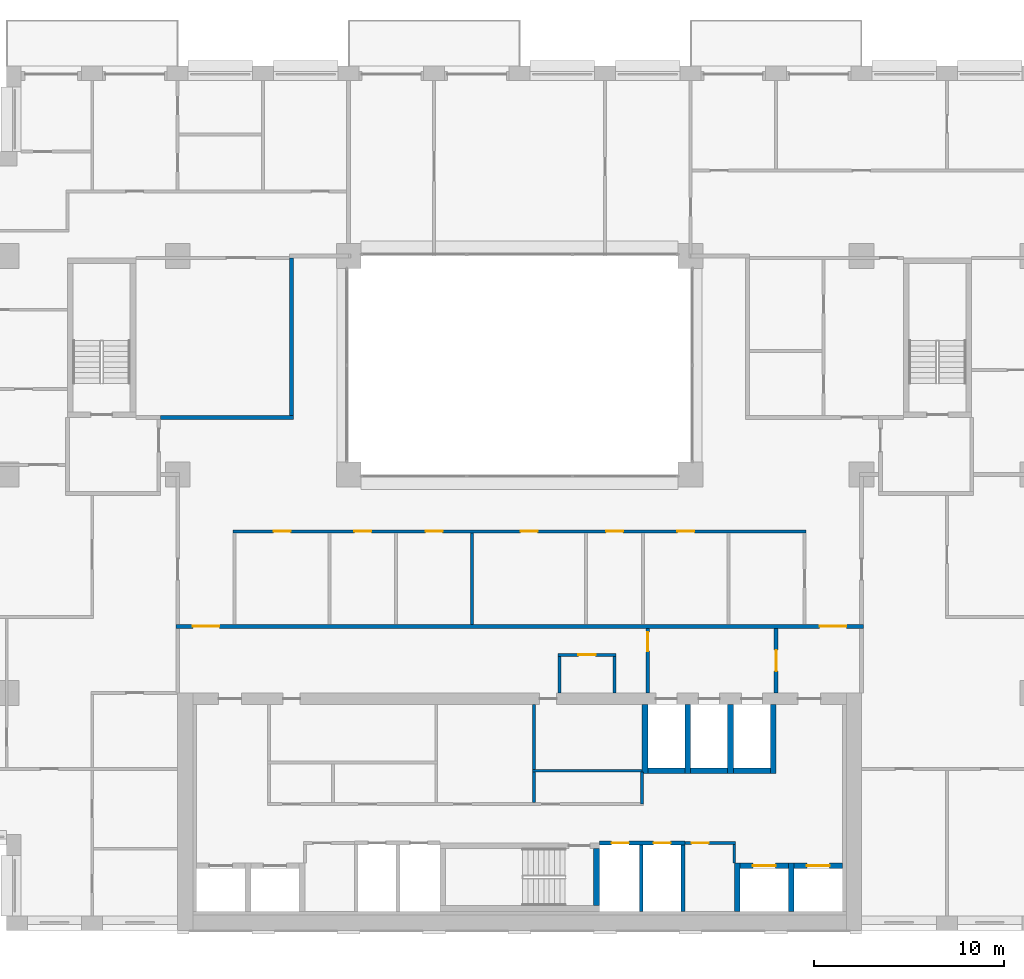
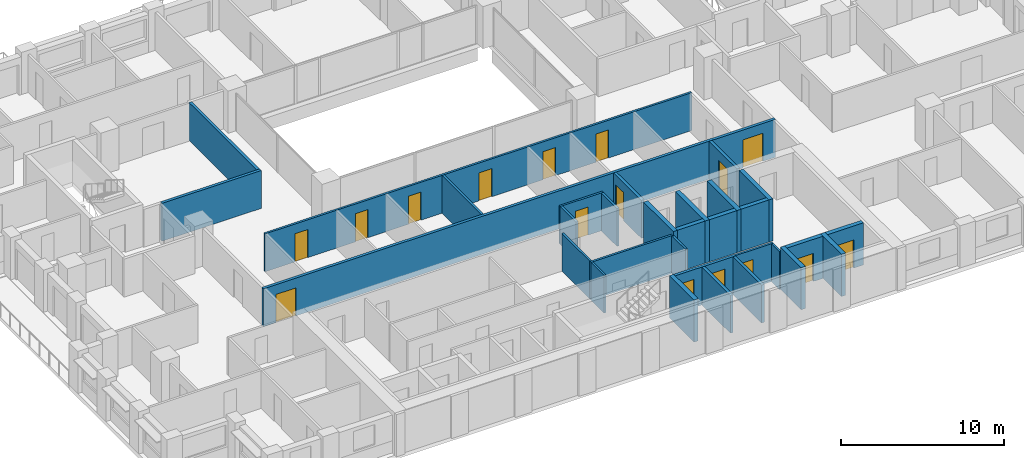
# One storey, part 10 of 16: 31 walls, 16 doors, 16 openings.
"""IFC4 building model written with IfcOpenShell, lengths in metres."""

from ifc_helpers import new_model, si_unit, direction, frame, frame_2d, origin, place, context, subcontext, project, spatial, rectangle, extrude, material, layer, layer_set, type_object, element, fill, save


model = new_model("IFC4")

# Units and contexts
model_context = context("Model", 3, precision=1e-05, world=origin(), true_north=direction((0.0, 1.0)))
body_context = subcontext(model_context, "Body", "Model", "MODEL_VIEW")
ifc_project = project(units=[si_unit("LENGTHUNIT", "METRE"), si_unit("AREAUNIT", "SQUARE_METRE"), si_unit("VOLUMEUNIT", "CUBIC_METRE"), si_unit("PLANEANGLEUNIT", "RADIAN"), si_unit("MASSUNIT", "GRAM", prefix="KILO")], contexts=[model_context])

# Site, building, storey
site_placement = place(None, origin())
site = spatial("IfcSite", under=ifc_project, at=site_placement, CompositionType="ELEMENT")
building_placement = place(site_placement, origin())
building = spatial("IfcBuilding", under=site, at=building_placement, Name="Brigalow Station Residences", CompositionType="ELEMENT")
storey_placement = place(building_placement, frame((0.0, 0.0, 93.0)))
storey = spatial("IfcBuildingStorey", under=building, at=storey_placement, Name="L26", CompositionType="ELEMENT", Elevation=93.0)

# Walls
ifc_material_1 = material(Name="Concrete C65", Category="concrete")
ifc_layer_1 = layer(ifc_material_1, 0.300048828125)
ifc_layer_set_1 = layer_set([ifc_layer_1], Name="CORE SHEAR WALL 300 C65")
wall_type_1 = type_object("IfcWallType", Name="CORE SHEAR WALL 300 C65", PredefinedType="SHEAR", material=ifc_layer_set_1)
wall_1_placement = place(storey_placement, frame((42.75, 8.39990234375, 0.0), z_axis=(0.0, 0.0, 1.0), x_axis=(1.0, 0.0, 0.0)))
element("IfcWall", 1, at=wall_1_placement, inside=storey, type_object=wall_type_1, Name="CORE WALL SH-FF1-S L26", PredefinedType="SHEAR", context=body_context, shape_type="SweptSolid", body=[
    extrude(rectangle(XDim=1.949951171875, YDim=0.300048828125, at=frame_2d((0.97509765625, 0.0))), origin(), (0.0, 0.0, 1.0), 3.14990234375),
])
wall_2_placement = place(storey_placement, frame((42.60009765625, 8.25, 0.0), z_axis=(0.0, 0.0, 1.0), x_axis=(0.0, 1.0, 0.0)))
element("IfcWall", 2, at=wall_2_placement, inside=storey, type_object=wall_type_1, Name="CORE WALL SH-FF1-W L26", PredefinedType="SHEAR", context=body_context, shape_type="SweptSolid", body=[
    extrude(rectangle(XDim=3.64990234375, YDim=0.300048828125, at=frame_2d((1.824951171875, 0.0))), origin(), (0.0, 0.0, 1.0), 3.14990234375),
])
wall_3_placement = place(storey_placement, frame((45.0, 8.39990234375, 0.0), z_axis=(0.0, 0.0, 1.0), x_axis=(1.0, 0.0, 0.0)))
element("IfcWall", 3, at=wall_3_placement, inside=storey, type_object=wall_type_1, Name="CORE WALL SH-FF2-S L26", PredefinedType="SHEAR", context=body_context, shape_type="SweptSolid", body=[
    extrude(rectangle(XDim=1.949951171875, YDim=0.300048828125, at=frame_2d((0.97509765625, 0.0))), origin(), (0.0, 0.0, 1.0), 3.14990234375),
])
wall_4_placement = place(storey_placement, frame((44.85009765625, 8.25, 0.0), z_axis=(0.0, 0.0, 1.0), x_axis=(0.0, 1.0, 0.0)))
element("IfcWall", 4, at=wall_4_placement, inside=storey, type_object=wall_type_1, Name="CORE WALL SH-FF2-W L26", PredefinedType="SHEAR", context=body_context, shape_type="SweptSolid", body=[
    extrude(rectangle(XDim=3.64990234375, YDim=0.300048828125, at=frame_2d((1.824951171875, 0.0))), origin(), (0.0, 0.0, 1.0), 3.14990234375),
])
wall_5_placement = place(storey_placement, frame((47.25, 8.39990234375, 0.0), z_axis=(0.0, 0.0, 1.0), x_axis=(1.0, 0.0, 0.0)))
element("IfcWall", 5, at=wall_5_placement, inside=storey, type_object=wall_type_1, Name="CORE WALL SH-SL1-S L26", PredefinedType="SHEAR", context=body_context, shape_type="SweptSolid", body=[
    extrude(rectangle(XDim=1.949951171875, YDim=0.300048828125, at=frame_2d((0.97509765625, 0.0))), origin(), (0.0, 0.0, 1.0), 3.14990234375),
])
for number, where, z_axis, x_axis, name in (
    (6, (47.10009765625, 8.25, 0.0), (0.0, 0.0, 1.0), (0.0, 1.0, 0.0), "CORE WALL SH-SL1-W L26"),
    (7, (49.35009765625, 8.25, 0.0), (0.0, 0.0, 1.0), (0.0, 1.0, 0.0), "CORE WALL SH-SL1-E L26"),
):
    element("IfcWall", number, at=place(storey_placement, frame(where, z_axis=z_axis, x_axis=x_axis)), inside=storey, type_object=wall_type_1, Name=name, PredefinedType="SHEAR", context=body_context, shape_type="SweptSolid", body=[
        extrude(rectangle(XDim=3.64990234375, YDim=0.300048828125, at=frame_2d((1.824951171875, 0.0))), origin(), (0.0, 0.0, 1.0), 3.14990234375),
    ])

# Wall, opening, door
wall_6_placement = place(storey_placement, frame((47.60009765625, 3.39990234375, 0.0), z_axis=(0.0, 0.0, 1.0), x_axis=(1.0, 0.0, 0.0)))
wall_6 = element("IfcWall", 8, at=wall_6_placement, inside=storey, type_object=wall_type_1, Name="CORE WALL SH-C3-N L26", PredefinedType="SHEAR", context=body_context, shape_type="SweptSolid", body=[
    extrude(rectangle(XDim=2.5498046875, YDim=0.300048828125, at=frame_2d((1.27490234375, 0.0))), origin(), (0.0, 0.0, 1.0), 3.14990234375),
])
opening_1_placement = place(wall_6_placement, frame((0.675048828125, 0.0, 0.0)))
opening_1 = element("IfcOpeningElement", 9, at=opening_1_placement, cuts=wall_6, Name="Opening LD-LB3", PredefinedType="OPENING", context=body_context, shape_type="SweptSolid", body=[
    extrude(rectangle(XDim=1.199951171875, YDim=2.10009765625, at=frame_2d((0.60009765625, 1.050048828125))), frame((0.0, 0.16015625, 0.0), z_axis=(0.0, -1.0, 0.0), x_axis=(1.0, 0.0, 0.0)), (0.0, 0.0, 1.0), 0.320068359375),
])
ifc_material_2 = material(Name="Stainless steel sliding door leaves", Category="steel")
door_type_1 = type_object("IfcDoorType", Name="LIFT LANDING DOOR 1200 x 2100", OperationType="DOUBLE_DOOR_SLIDING", PredefinedType="DOOR", material=ifc_material_2)
door_1_placement = place(opening_1_placement, origin())
door_1 = element("IfcDoor", 10, at=door_1_placement, inside=storey, type_object=door_type_1, Name="LANDING DOOR LB3", OperationType="DOUBLE_DOOR_SLIDING", OverallHeight=2.10009765625, OverallWidth=1.199951171875, PredefinedType="DOOR", context=body_context, shape_type="SweptSolid", body=[
    extrude(rectangle(XDim=1.199951171875, YDim=2.10009765625, at=frame_2d((0.60009765625, 1.050048828125))), frame((0.0, 0.02490234375, 0.0), z_axis=(0.0, -1.0, 0.0), x_axis=(1.0, 0.0, 0.0)), (0.0, 0.0, 1.0), 0.050048828125),
])
fill(opening_1, door_1)

# Wall
wall_7_placement = place(storey_placement, frame((47.449951171875, 1.0, 0.0), z_axis=(0.0, 0.0, 1.0), x_axis=(0.0, 1.0, 0.0)))
element("IfcWall", 11, at=wall_7_placement, inside=storey, type_object=wall_type_1, Name="CORE WALL SH-C3-W L26", PredefinedType="SHEAR", context=body_context, shape_type="SweptSolid", body=[
    extrude(rectangle(XDim=2.550048828125, YDim=0.300048828125, at=frame_2d((1.27490234375, 0.0))), origin(), (0.0, 0.0, 1.0), 3.14990234375),
])

# Wall, opening, door
wall_8_placement = place(storey_placement, frame((50.449951171875, 3.39990234375, 0.0), z_axis=(0.0, 0.0, 1.0), x_axis=(1.0, 0.0, 0.0)))
wall_8 = element("IfcWall", 12, at=wall_8_placement, inside=storey, type_object=wall_type_1, Name="CORE WALL SH-C4-N L26", PredefinedType="SHEAR", context=body_context, shape_type="SweptSolid", body=[
    extrude(rectangle(XDim=2.550048828125, YDim=0.300048828125, at=frame_2d((1.27490234375, 0.0))), origin(), (0.0, 0.0, 1.0), 3.14990234375),
])
opening_2_placement = place(wall_8_placement, frame((0.675048828125, 0.0, 0.0)))
opening_2 = element("IfcOpeningElement", 13, at=opening_2_placement, cuts=wall_8, Name="Opening LD-LB4", PredefinedType="OPENING", context=body_context, shape_type="SweptSolid", body=[
    extrude(rectangle(XDim=1.199951171875, YDim=2.10009765625, at=frame_2d((0.60009765625, 1.050048828125))), frame((0.0, 0.16015625, 0.0), z_axis=(0.0, -1.0, 0.0), x_axis=(1.0, 0.0, 0.0)), (0.0, 0.0, 1.0), 0.320068359375),
])
door_2_placement = place(opening_2_placement, origin())
door_2 = element("IfcDoor", 14, at=door_2_placement, inside=storey, type_object=door_type_1, Name="LANDING DOOR LB4", OperationType="DOUBLE_DOOR_SLIDING", OverallHeight=2.10009765625, OverallWidth=1.199951171875, PredefinedType="DOOR", context=body_context, shape_type="SweptSolid", body=[
    extrude(rectangle(XDim=1.199951171875, YDim=2.10009765625, at=frame_2d((0.60009765625, 1.050048828125))), frame((0.0, 0.02490234375, 0.0), z_axis=(0.0, -1.0, 0.0), x_axis=(1.0, 0.0, 0.0)), (0.0, 0.0, 1.0), 0.050048828125),
])
fill(opening_2, door_2)

# Walls
wall_9_placement = place(storey_placement, frame((50.300048828125, 1.0, 0.0), z_axis=(0.0, 0.0, 1.0), x_axis=(0.0, 1.0, 0.0)))
element("IfcWall", 15, at=wall_9_placement, inside=storey, type_object=wall_type_1, Name="CORE WALL SH-C4-W L26", PredefinedType="SHEAR", context=body_context, shape_type="SweptSolid", body=[
    extrude(rectangle(XDim=2.550048828125, YDim=0.300048828125, at=frame_2d((1.27490234375, 0.0))), origin(), (0.0, 0.0, 1.0), 3.14990234375),
])
wall_10_placement = place(storey_placement, frame((40.050048828125, 1.300048828125, 0.0), z_axis=(0.0, 0.0, 1.0), x_axis=(0.0, 1.0, 0.0)))
element("IfcWall", 16, at=wall_10_placement, inside=storey, type_object=wall_type_1, Name="CORE WALL ST-S2-E L26", PredefinedType="SHEAR", context=body_context, shape_type="SweptSolid", body=[
    extrude(rectangle(XDim=3.0, YDim=0.300048828125, at=frame_2d((1.5, 0.0))), origin(), (0.0, 0.0, 1.0), 3.14990234375),
])

# Wall, openings, doors
ifc_material_3 = material(Name="Concrete blockwork", Category="masonry")
ifc_layer_2 = layer(ifc_material_3, 0.199951171875)
ifc_layer_set_2 = layer_set([ifc_layer_2], Name="FIRE RATED CORE PARTITION 200")
wall_type_2 = type_object("IfcWallType", Name="FIRE RATED CORE PARTITION 200", PredefinedType="PARTITIONING", material=ifc_layer_set_2)
wall_11_placement = place(storey_placement, frame((40.199951171875, 4.60009765625, 0.0), z_axis=(0.0, 0.0, 1.0), x_axis=(1.0, 0.0, 0.0)))
wall_11 = element("IfcWall", 17, at=wall_11_placement, inside=storey, type_object=wall_type_2, Name="PW-5018", PredefinedType="PARTITIONING", context=body_context, shape_type="SweptSolid", body=[
    extrude(rectangle(XDim=4.5, YDim=0.199951171875, at=frame_2d((2.25, 0.0))), origin(), (0.0, 0.0, 1.0), 2.830078125),
])
opening_3_placement = place(wall_11_placement, frame((0.64990234375, 0.0, 0.0)))
opening_3 = element("IfcOpeningElement", 18, at=opening_3_placement, cuts=wall_11, Name="Opening D-5009", PredefinedType="OPENING", context=body_context, shape_type="SweptSolid", body=[
    extrude(rectangle(XDim=0.89990234375, YDim=2.10009765625, at=frame_2d((0.449951171875, 1.050048828125))), frame((0.0, 0.10986328125, 0.0), z_axis=(0.0, -1.0, 0.0), x_axis=(1.0, 0.0, 0.0)), (0.0, 0.0, 1.0), 0.219970703125),
])
opening_4_placement = place(wall_11_placement, frame((2.85009765625, 0.0, 0.0)))
opening_4 = element("IfcOpeningElement", 19, at=opening_4_placement, cuts=wall_11, Name="Opening D-5010", PredefinedType="OPENING", context=body_context, shape_type="SweptSolid", body=[
    extrude(rectangle(XDim=0.89990234375, YDim=2.10009765625, at=frame_2d((0.449951171875, 1.050048828125))), frame((0.0, 0.10986328125, 0.0), z_axis=(0.0, -1.0, 0.0), x_axis=(1.0, 0.0, 0.0)), (0.0, 0.0, 1.0), 0.219970703125),
])
ifc_material_4 = material(Name="Steel fire door leaf in steel frame", Category="steel")
door_type_2 = type_object("IfcDoorType", Name="RISER ACCESS DOOR 900 x 2100 FD120", OperationType="SINGLE_SWING_LEFT", PredefinedType="DOOR", material=ifc_material_4)
door_3_placement = place(opening_3_placement, frame((0.89990234375, 0.0, 0.0), z_axis=(0.0, 0.0, 1.0), x_axis=(-1.0, 0.0, 0.0)))
door_3 = element("IfcDoor", 20, at=door_3_placement, inside=storey, type_object=door_type_2, Name="D-5009", OperationType="SINGLE_SWING_LEFT", OverallHeight=2.10009765625, OverallWidth=0.89990234375, PredefinedType="DOOR", context=body_context, shape_type="SweptSolid", body=[
    extrude(rectangle(XDim=0.89990234375, YDim=2.10009765625, at=frame_2d((0.449951171875, 1.050048828125))), frame((0.0, 0.02490234375, 0.0), z_axis=(0.0, -1.0, 0.0), x_axis=(1.0, 0.0, 0.0)), (0.0, 0.0, 1.0), 0.050048828125),
])
fill(opening_3, door_3)
door_4_placement = place(opening_4_placement, frame((0.89990234375, 0.0, 0.0), z_axis=(0.0, 0.0, 1.0), x_axis=(-1.0, 0.0, 0.0)))
door_4 = element("IfcDoor", 21, at=door_4_placement, inside=storey, type_object=door_type_2, Name="D-5010", OperationType="SINGLE_SWING_LEFT", OverallHeight=2.10009765625, OverallWidth=0.89990234375, PredefinedType="DOOR", context=body_context, shape_type="SweptSolid", body=[
    extrude(rectangle(XDim=0.89990234375, YDim=2.10009765625, at=frame_2d((0.449951171875, 1.050048828125))), frame((0.0, 0.02490234375, 0.0), z_axis=(0.0, -1.0, 0.0), x_axis=(1.0, 0.0, 0.0)), (0.0, 0.0, 1.0), 0.050048828125),
])
fill(opening_4, door_4)

# Walls
for number, where, z_axis, x_axis, name in (
    (22, (42.39990234375, 1.0, 0.0), (0.0, 0.0, 1.0), (0.0, 1.0, 0.0), "PW-5007"),
    (23, (44.60009765625, 1.0, 0.0), (0.0, 0.0, 1.0), (0.0, 1.0, 0.0), "PW-5008"),
):
    element("IfcWall", number, at=place(storey_placement, frame(where, z_axis=z_axis, x_axis=x_axis)), inside=storey, type_object=wall_type_2, Name=name, PredefinedType="PARTITIONING", context=body_context, shape_type="SweptSolid", body=[
        extrude(rectangle(XDim=3.5, YDim=0.199951171875, at=frame_2d((1.75, 0.0))), origin(), (0.0, 0.0, 1.0), 2.830078125),
    ])

# Wall, opening, door
wall_12_placement = place(storey_placement, frame((42.75, 12.5, 0.0), z_axis=(0.0, 0.0, 1.0), x_axis=(0.0, 1.0, 0.0)))
wall_12 = element("IfcWall", 24, at=wall_12_placement, inside=storey, type_object=wall_type_2, Name="PW-5014", PredefinedType="PARTITIONING", context=body_context, shape_type="SweptSolid", body=[
    extrude(rectangle(XDim=3.39990234375, YDim=0.199951171875, at=frame_2d((1.699951171875, 0.0))), origin(), (0.0, 0.0, 1.0), 2.830078125),
])
opening_5_placement = place(wall_12_placement, frame((2.199951171875, 0.0, 0.0)))
opening_5 = element("IfcOpeningElement", 25, at=opening_5_placement, cuts=wall_12, Name="Opening D-5013", PredefinedType="OPENING", context=body_context, shape_type="SweptSolid", body=[
    extrude(rectangle(XDim=1.0, YDim=2.10009765625, at=frame_2d((0.5, 1.050048828125))), frame((0.0, 0.10986328125, 0.0), z_axis=(0.0, -1.0, 0.0), x_axis=(1.0, 0.0, 0.0)), (0.0, 0.0, 1.0), 0.219970703125),
])
ifc_material_5 = material(Name="Steel fire door leaf in steel frame", Category="steel")
door_type_3 = type_object("IfcDoorType", Name="LOBBY DOOR 1000 x 2100 FD60S", OperationType="SINGLE_SWING_LEFT", PredefinedType="DOOR", material=ifc_material_5)
door_5_placement = place(opening_5_placement, origin())
door_5 = element("IfcDoor", 26, at=door_5_placement, inside=storey, type_object=door_type_3, Name="D-5013", OperationType="SINGLE_SWING_RIGHT", OverallHeight=2.10009765625, OverallWidth=1.0, PredefinedType="DOOR", context=body_context, shape_type="SweptSolid", body=[
    extrude(rectangle(XDim=1.0, YDim=2.10009765625, at=frame_2d((0.5, 1.050048828125))), frame((0.0, 0.02490234375, 0.0), z_axis=(0.0, -1.0, 0.0), x_axis=(1.0, 0.0, 0.0)), (0.0, 0.0, 1.0), 0.050048828125),
])
fill(opening_5, door_5)

wall_13_placement = place(storey_placement, frame((49.5, 12.5, 0.0), z_axis=(0.0, 0.0, 1.0), x_axis=(0.0, 1.0, 0.0)))
wall_13 = element("IfcWall", 27, at=wall_13_placement, inside=storey, type_object=wall_type_2, Name="PW-5015", PredefinedType="PARTITIONING", context=body_context, shape_type="SweptSolid", body=[
    extrude(rectangle(XDim=3.39990234375, YDim=0.199951171875, at=frame_2d((1.699951171875, 0.0))), origin(), (0.0, 0.0, 1.0), 2.830078125),
])
opening_6_placement = place(wall_13_placement, frame((1.14990234375, 0.0, 0.0)))
opening_6 = element("IfcOpeningElement", 28, at=opening_6_placement, cuts=wall_13, Name="Opening D-5014", PredefinedType="OPENING", context=body_context, shape_type="SweptSolid", body=[
    extrude(rectangle(XDim=1.10009765625, YDim=2.10009765625, at=frame_2d((0.550048828125, 1.050048828125))), frame((0.0, 0.10986328125, 0.0), z_axis=(0.0, -1.0, 0.0), x_axis=(1.0, 0.0, 0.0)), (0.0, 0.0, 1.0), 0.219970703125),
])
ifc_material_6 = material(Name="Steel fire door leaf in steel frame", Category="steel")
door_type_4 = type_object("IfcDoorType", Name="LOBBY DOOR 1100 x 2100 FD60S", OperationType="SINGLE_SWING_LEFT", PredefinedType="DOOR", material=ifc_material_6)
door_6_placement = place(opening_6_placement, origin())
door_6 = element("IfcDoor", 29, at=door_6_placement, inside=storey, type_object=door_type_4, Name="D-5014", OperationType="SINGLE_SWING_LEFT", OverallHeight=2.10009765625, OverallWidth=1.10009765625, PredefinedType="DOOR", context=body_context, shape_type="SweptSolid", body=[
    extrude(rectangle(XDim=1.10009765625, YDim=2.10009765625, at=frame_2d((0.550048828125, 1.050048828125))), frame((0.0, 0.02490234375, 0.0), z_axis=(0.0, -1.0, 0.0), x_axis=(1.0, 0.0, 0.0)), (0.0, 0.0, 1.0), 0.050048828125),
])
fill(opening_6, door_6)

# Wall, openings, doors
ifc_material_7 = material(Name="Plasterboard on steel stud partition", Category="steel")
ifc_layer_3 = layer(ifc_material_7, 0.14990234375)
ifc_layer_set_3 = layer_set([ifc_layer_3], Name="FLAT PARTITION 150")
wall_type_3 = type_object("IfcWallType", Name="FLAT PARTITION 150", PredefinedType="PARTITIONING", material=ifc_layer_set_3)
wall_14_placement = place(storey_placement, frame((20.925048828125, 21.0, 0.0), z_axis=(0.0, 0.0, 1.0), x_axis=(1.0, 0.0, 0.0)))
wall_14 = element("IfcWall", 30, at=wall_14_placement, inside=storey, type_object=wall_type_3, Name="PW-2B01", PredefinedType="PARTITIONING", context=body_context, shape_type="SweptSolid", body=[
    extrude(rectangle(XDim=30.14990234375, YDim=0.14990234375, at=frame_2d((15.074951171875, 0.0))), origin(), (0.0, 0.0, 1.0), 2.830078125),
])
opening_7_placement = place(wall_14_placement, frame((2.125, 0.0, 0.0)))
opening_7 = element("IfcOpeningElement", 31, at=opening_7_placement, cuts=wall_14, Name="Opening D-2B47", PredefinedType="OPENING", context=body_context, shape_type="SweptSolid", body=[
    extrude(rectangle(XDim=0.89990234375, YDim=2.10009765625, at=frame_2d((0.449951171875, 1.050048828125))), frame((0.0, 0.0849609375, 0.0), z_axis=(0.0, -1.0, 0.0), x_axis=(1.0, 0.0, 0.0)), (0.0, 0.0, 1.0), 0.169921875),
])
opening_8_placement = place(wall_14_placement, frame((6.375, 0.0, 0.0)))
opening_8 = element("IfcOpeningElement", 32, at=opening_8_placement, cuts=wall_14, Name="Opening D-2B48", PredefinedType="OPENING", context=body_context, shape_type="SweptSolid", body=[
    extrude(rectangle(XDim=0.89990234375, YDim=2.10009765625, at=frame_2d((0.449951171875, 1.050048828125))), frame((0.0, 0.0849609375, 0.0), z_axis=(0.0, -1.0, 0.0), x_axis=(1.0, 0.0, 0.0)), (0.0, 0.0, 1.0), 0.169921875),
])
opening_9_placement = place(wall_14_placement, frame((10.125, 0.0, 0.0)))
opening_9 = element("IfcOpeningElement", 33, at=opening_9_placement, cuts=wall_14, Name="Opening D-2B49", PredefinedType="OPENING", context=body_context, shape_type="SweptSolid", body=[
    extrude(rectangle(XDim=0.89990234375, YDim=2.10009765625, at=frame_2d((0.449951171875, 1.050048828125))), frame((0.0, 0.0849609375, 0.0), z_axis=(0.0, -1.0, 0.0), x_axis=(1.0, 0.0, 0.0)), (0.0, 0.0, 1.0), 0.169921875),
])
opening_10_placement = place(wall_14_placement, frame((15.125, 0.0, 0.0)))
opening_10 = element("IfcOpeningElement", 34, at=opening_10_placement, cuts=wall_14, Name="Opening D-2B50", PredefinedType="OPENING", context=body_context, shape_type="SweptSolid", body=[
    extrude(rectangle(XDim=0.89990234375, YDim=2.10009765625, at=frame_2d((0.449951171875, 1.050048828125))), frame((0.0, 0.0849609375, 0.0), z_axis=(0.0, -1.0, 0.0), x_axis=(1.0, 0.0, 0.0)), (0.0, 0.0, 1.0), 0.169921875),
])
opening_11_placement = place(wall_14_placement, frame((19.625, 0.0, 0.0)))
opening_11 = element("IfcOpeningElement", 35, at=opening_11_placement, cuts=wall_14, Name="Opening D-2B51", PredefinedType="OPENING", context=body_context, shape_type="SweptSolid", body=[
    extrude(rectangle(XDim=0.89990234375, YDim=2.10009765625, at=frame_2d((0.449951171875, 1.050048828125))), frame((0.0, 0.0849609375, 0.0), z_axis=(0.0, -1.0, 0.0), x_axis=(1.0, 0.0, 0.0)), (0.0, 0.0, 1.0), 0.169921875),
])
opening_12_placement = place(wall_14_placement, frame((23.375, 0.0, 0.0)))
opening_12 = element("IfcOpeningElement", 36, at=opening_12_placement, cuts=wall_14, Name="Opening D-2B52", PredefinedType="OPENING", context=body_context, shape_type="SweptSolid", body=[
    extrude(rectangle(XDim=0.89990234375, YDim=2.10009765625, at=frame_2d((0.449951171875, 1.050048828125))), frame((0.0, 0.0849609375, 0.0), z_axis=(0.0, -1.0, 0.0), x_axis=(1.0, 0.0, 0.0)), (0.0, 0.0, 1.0), 0.169921875),
])
ifc_material_8 = material(Name="Solid-core timber door leaf", Category="wood")
door_type_5 = type_object("IfcDoorType", Name="INTERNAL DOOR 900 x 2100", OperationType="SINGLE_SWING_LEFT", PredefinedType="DOOR", material=ifc_material_8)
door_7_placement = place(opening_7_placement, frame((0.89990234375, 0.0, 0.0), z_axis=(0.0, 0.0, 1.0), x_axis=(-1.0, 0.0, 0.0)))
door_7 = element("IfcDoor", 37, at=door_7_placement, inside=storey, type_object=door_type_5, Name="D-2B47", OperationType="SINGLE_SWING_RIGHT", OverallHeight=2.10009765625, OverallWidth=0.89990234375, PredefinedType="DOOR", context=body_context, shape_type="SweptSolid", body=[
    extrude(rectangle(XDim=0.89990234375, YDim=2.10009765625, at=frame_2d((0.449951171875, 1.050048828125))), frame((0.0, 0.02490234375, 0.0), z_axis=(0.0, -1.0, 0.0), x_axis=(1.0, 0.0, 0.0)), (0.0, 0.0, 1.0), 0.050048828125),
])
fill(opening_7, door_7)
door_8_placement = place(opening_8_placement, frame((0.89990234375, 0.0, 0.0), z_axis=(0.0, 0.0, 1.0), x_axis=(-1.0, 0.0, 0.0)))
door_8 = element("IfcDoor", 38, at=door_8_placement, inside=storey, type_object=door_type_5, Name="D-2B48", OperationType="SINGLE_SWING_LEFT", OverallHeight=2.10009765625, OverallWidth=0.89990234375, PredefinedType="DOOR", context=body_context, shape_type="SweptSolid", body=[
    extrude(rectangle(XDim=0.89990234375, YDim=2.10009765625, at=frame_2d((0.449951171875, 1.050048828125))), frame((0.0, 0.02490234375, 0.0), z_axis=(0.0, -1.0, 0.0), x_axis=(1.0, 0.0, 0.0)), (0.0, 0.0, 1.0), 0.050048828125),
])
fill(opening_8, door_8)
door_9_placement = place(opening_9_placement, frame((0.89990234375, 0.0, 0.0), z_axis=(0.0, 0.0, 1.0), x_axis=(-1.0, 0.0, 0.0)))
door_9 = element("IfcDoor", 39, at=door_9_placement, inside=storey, type_object=door_type_5, Name="D-2B49", OperationType="SINGLE_SWING_LEFT", OverallHeight=2.10009765625, OverallWidth=0.89990234375, PredefinedType="DOOR", context=body_context, shape_type="SweptSolid", body=[
    extrude(rectangle(XDim=0.89990234375, YDim=2.10009765625, at=frame_2d((0.449951171875, 1.050048828125))), frame((0.0, 0.02490234375, 0.0), z_axis=(0.0, -1.0, 0.0), x_axis=(1.0, 0.0, 0.0)), (0.0, 0.0, 1.0), 0.050048828125),
])
fill(opening_9, door_9)
door_10_placement = place(opening_10_placement, frame((0.89990234375, 0.0, 0.0), z_axis=(0.0, 0.0, 1.0), x_axis=(-1.0, 0.0, 0.0)))
door_10 = element("IfcDoor", 40, at=door_10_placement, inside=storey, type_object=door_type_5, Name="D-2B50", OperationType="SINGLE_SWING_RIGHT", OverallHeight=2.10009765625, OverallWidth=0.89990234375, PredefinedType="DOOR", context=body_context, shape_type="SweptSolid", body=[
    extrude(rectangle(XDim=0.89990234375, YDim=2.10009765625, at=frame_2d((0.449951171875, 1.050048828125))), frame((0.0, 0.02490234375, 0.0), z_axis=(0.0, -1.0, 0.0), x_axis=(1.0, 0.0, 0.0)), (0.0, 0.0, 1.0), 0.050048828125),
])
fill(opening_10, door_10)
door_11_placement = place(opening_11_placement, frame((0.89990234375, 0.0, 0.0), z_axis=(0.0, 0.0, 1.0), x_axis=(-1.0, 0.0, 0.0)))
door_11 = element("IfcDoor", 41, at=door_11_placement, inside=storey, type_object=door_type_5, Name="D-2B51", OperationType="SINGLE_SWING_LEFT", OverallHeight=2.10009765625, OverallWidth=0.89990234375, PredefinedType="DOOR", context=body_context, shape_type="SweptSolid", body=[
    extrude(rectangle(XDim=0.89990234375, YDim=2.10009765625, at=frame_2d((0.449951171875, 1.050048828125))), frame((0.0, 0.02490234375, 0.0), z_axis=(0.0, -1.0, 0.0), x_axis=(1.0, 0.0, 0.0)), (0.0, 0.0, 1.0), 0.050048828125),
])
fill(opening_11, door_11)
door_12_placement = place(opening_12_placement, frame((0.89990234375, 0.0, 0.0), z_axis=(0.0, 0.0, 1.0), x_axis=(-1.0, 0.0, 0.0)))
door_12 = element("IfcDoor", 42, at=door_12_placement, inside=storey, type_object=door_type_5, Name="D-2B52", OperationType="SINGLE_SWING_LEFT", OverallHeight=2.10009765625, OverallWidth=0.89990234375, PredefinedType="DOOR", context=body_context, shape_type="SweptSolid", body=[
    extrude(rectangle(XDim=0.89990234375, YDim=2.10009765625, at=frame_2d((0.449951171875, 1.050048828125))), frame((0.0, 0.02490234375, 0.0), z_axis=(0.0, -1.0, 0.0), x_axis=(1.0, 0.0, 0.0)), (0.0, 0.0, 1.0), 0.050048828125),
])
fill(opening_12, door_12)

# Walls
wall_15_placement = place(storey_placement, frame((33.5, 16.10009765625, 0.0), z_axis=(0.0, 0.0, 1.0), x_axis=(0.0, 1.0, 0.0)))
element("IfcWall", 43, at=wall_15_placement, inside=storey, type_object=wall_type_3, Name="PW-2B71", PredefinedType="PARTITIONING", context=body_context, shape_type="SweptSolid", body=[
    extrude(rectangle(XDim=4.824951171875, YDim=0.14990234375, at=frame_2d((2.41259765625, 0.0))), origin(), (0.0, 0.0, 1.0), 2.830078125),
])
ifc_material_9 = material(Name="Plasterboard on steel stud partition", Category="steel")
ifc_layer_4 = layer(ifc_material_9, 0.199951171875)
ifc_layer_set_4 = layer_set([ifc_layer_4], Name="PARTY AND CORRIDOR WALL 200")
wall_type_4 = type_object("IfcWallType", Name="PARTY AND CORRIDOR WALL 200", PredefinedType="PARTITIONING", material=ifc_layer_set_4)
wall_16_placement = place(storey_placement, frame((17.10009765625, 27.0, 0.0), z_axis=(0.0, 0.0, 1.0), x_axis=(1.0, 0.0, 0.0)))
element("IfcWall", 44, at=wall_16_placement, inside=storey, type_object=wall_type_4, Name="PW-2B05", PredefinedType="PARTITIONING", context=body_context, shape_type="SweptSolid", body=[
    extrude(rectangle(XDim=7.0, YDim=0.199951171875, at=frame_2d((3.5, 0.0))), origin(), (0.0, 0.0, 1.0), 2.830078125),
])

# Wall, openings, doors
wall_17_placement = place(storey_placement, frame((17.89990234375, 16.0, 0.0), z_axis=(0.0, 0.0, 1.0), x_axis=(1.0, 0.0, 0.0)))
wall_17 = element("IfcWall", 45, at=wall_17_placement, inside=storey, type_object=wall_type_4, Name="PW-2B37", PredefinedType="PARTITIONING", context=body_context, shape_type="SweptSolid", body=[
    extrude(rectangle(XDim=36.2001953125, YDim=0.199951171875, at=frame_2d((18.10009765625, 0.0))), origin(), (0.0, 0.0, 1.0), 2.830078125),
])
opening_13_placement = place(wall_17_placement, frame((0.89990234375, 0.0, 0.0)))
opening_13 = element("IfcOpeningElement", 46, at=opening_13_placement, cuts=wall_17, Name="Opening D-2B01", PredefinedType="OPENING", context=body_context, shape_type="SweptSolid", body=[
    extrude(rectangle(XDim=1.39990234375, YDim=2.10009765625, at=frame_2d((0.699951171875, 1.050048828125))), frame((0.0, 0.10986328125, 0.0), z_axis=(0.0, -1.0, 0.0), x_axis=(1.0, 0.0, 0.0)), (0.0, 0.0, 1.0), 0.219970703125),
])
opening_14_placement = place(wall_17_placement, frame((33.89990234375, 0.0, 0.0)))
opening_14 = element("IfcOpeningElement", 47, at=opening_14_placement, cuts=wall_17, Name="Opening D-2B02", PredefinedType="OPENING", context=body_context, shape_type="SweptSolid", body=[
    extrude(rectangle(XDim=1.39990234375, YDim=2.10009765625, at=frame_2d((0.699951171875, 1.050048828125))), frame((0.0, 0.10986328125, 0.0), z_axis=(0.0, -1.0, 0.0), x_axis=(1.0, 0.0, 0.0)), (0.0, 0.0, 1.0), 0.219970703125),
])
ifc_material_10 = material(Name="Solid-core timber door leaf", Category="wood")
door_type_6 = type_object("IfcDoorType", Name="CORRIDOR FIRE DOOR 1400 x 2100 FRL -/60/30", OperationType="DOUBLE_DOOR_SINGLE_SWING", PredefinedType="DOOR", material=ifc_material_10)
door_13_placement = place(opening_13_placement, frame((1.39990234375, 0.0, 0.0), z_axis=(0.0, 0.0, 1.0), x_axis=(-1.0, 0.0, 0.0)))
door_13 = element("IfcDoor", 48, at=door_13_placement, inside=storey, type_object=door_type_6, Name="D-2B01", OperationType="DOUBLE_DOOR_SINGLE_SWING", OverallHeight=2.10009765625, OverallWidth=1.39990234375, PredefinedType="DOOR", context=body_context, shape_type="SweptSolid", body=[
    extrude(rectangle(XDim=1.39990234375, YDim=2.10009765625, at=frame_2d((0.699951171875, 1.050048828125))), frame((0.0, 0.02490234375, 0.0), z_axis=(0.0, -1.0, 0.0), x_axis=(1.0, 0.0, 0.0)), (0.0, 0.0, 1.0), 0.050048828125),
])
fill(opening_13, door_13)
door_14_placement = place(opening_14_placement, frame((1.39990234375, 0.0, 0.0), z_axis=(0.0, 0.0, 1.0), x_axis=(-1.0, 0.0, 0.0)))
door_14 = element("IfcDoor", 49, at=door_14_placement, inside=storey, type_object=door_type_6, Name="D-2B02", OperationType="DOUBLE_DOOR_SINGLE_SWING", OverallHeight=2.10009765625, OverallWidth=1.39990234375, PredefinedType="DOOR", context=body_context, shape_type="SweptSolid", body=[
    extrude(rectangle(XDim=1.39990234375, YDim=2.10009765625, at=frame_2d((0.699951171875, 1.050048828125))), frame((0.0, 0.02490234375, 0.0), z_axis=(0.0, -1.0, 0.0), x_axis=(1.0, 0.0, 0.0)), (0.0, 0.0, 1.0), 0.050048828125),
])
fill(opening_14, door_14)

# Wall
wall_18_placement = place(storey_placement, frame((24.0, 27.10009765625, 0.0), z_axis=(0.0, 0.0, 1.0), x_axis=(0.0, 1.0, 0.0)))
element("IfcWall", 50, at=wall_18_placement, inside=storey, type_object=wall_type_4, Name="PW-2B43", PredefinedType="PARTITIONING", context=body_context, shape_type="SweptSolid", body=[
    extrude(rectangle(XDim=8.2998046875, YDim=0.199951171875, at=frame_2d((4.14990234375, 0.0))), origin(), (0.0, 0.0, 1.0), 2.830078125),
])

# Wall, opening, door
ifc_material_11 = material(Name="Plasterboard on steel studs", Category="steel")
ifc_layer_5 = layer(ifc_material_11, 0.14990234375)
ifc_layer_set_5 = layer_set([ifc_layer_5], Name="SERVICE ROOM PARTITION 150")
wall_type_5 = type_object("IfcWallType", Name="SERVICE ROOM PARTITION 150", PredefinedType="PARTITIONING", material=ifc_layer_set_5)
wall_19_placement = place(storey_placement, frame((44.699951171875, 4.60009765625, 0.0), z_axis=(0.0, 0.0, 1.0), x_axis=(1.0, 0.0, 0.0)))
wall_19 = element("IfcWall", 51, at=wall_19_placement, inside=storey, type_object=wall_type_5, Name="PW-5156", PredefinedType="PARTITIONING", context=body_context, shape_type="SweptSolid", body=[
    extrude(rectangle(XDim=2.675048828125, YDim=0.14990234375, at=frame_2d((1.33740234375, 0.0))), origin(), (0.0, 0.0, 1.0), 2.830078125),
])
opening_15_placement = place(wall_19_placement, frame((0.35009765625, 0.0, 0.0)))
opening_15 = element("IfcOpeningElement", 52, at=opening_15_placement, cuts=wall_19, Name="Opening D-5026", PredefinedType="OPENING", context=body_context, shape_type="SweptSolid", body=[
    extrude(rectangle(XDim=0.89990234375, YDim=2.10009765625, at=frame_2d((0.449951171875, 1.050048828125))), frame((0.0, 0.0849609375, 0.0), z_axis=(0.0, -1.0, 0.0), x_axis=(1.0, 0.0, 0.0)), (0.0, 0.0, 1.0), 0.169921875),
])
ifc_material_12 = material(Name="Steel door leaf in steel frame", Category="steel")
door_type_7 = type_object("IfcDoorType", Name="SERVICE ROOM DOOR 900 x 2100 FD60", OperationType="SINGLE_SWING_LEFT", PredefinedType="DOOR", material=ifc_material_12)
door_15_placement = place(opening_15_placement, frame((0.89990234375, 0.0, 0.0), z_axis=(0.0, 0.0, 1.0), x_axis=(-1.0, 0.0, 0.0)))
door_15 = element("IfcDoor", 53, at=door_15_placement, inside=storey, type_object=door_type_7, Name="D-5026", OperationType="SINGLE_SWING_RIGHT", OverallHeight=2.10009765625, OverallWidth=0.89990234375, PredefinedType="DOOR", context=body_context, shape_type="SweptSolid", body=[
    extrude(rectangle(XDim=0.89990234375, YDim=2.10009765625, at=frame_2d((0.449951171875, 1.050048828125))), frame((0.0, 0.02490234375, 0.0), z_axis=(0.0, -1.0, 0.0), x_axis=(1.0, 0.0, 0.0)), (0.0, 0.0, 1.0), 0.050048828125),
])
fill(opening_15, door_15)

# Wall
wall_20_placement = place(storey_placement, frame((36.675048828125, 8.39990234375, 0.0), z_axis=(0.0, 0.0, 1.0), x_axis=(1.0, 0.0, 0.0)))
element("IfcWall", 54, at=wall_20_placement, inside=storey, type_object=wall_type_5, Name="PW-5204", PredefinedType="PARTITIONING", context=body_context, shape_type="SweptSolid", body=[
    extrude(rectangle(XDim=5.77490234375, YDim=0.14990234375, at=frame_2d((2.887451171875, 0.0))), origin(), (0.0, 0.0, 1.0), 2.830078125),
])

# Wall, opening, door
wall_21_placement = place(storey_placement, frame((38.02490234375, 14.5, 0.0), z_axis=(0.0, 0.0, 1.0), x_axis=(1.0, 0.0, 0.0)))
wall_21 = element("IfcWall", 55, at=wall_21_placement, inside=storey, type_object=wall_type_5, Name="PW-5138", PredefinedType="PARTITIONING", context=body_context, shape_type="SweptSolid", body=[
    extrude(rectangle(XDim=3.050048828125, YDim=0.14990234375, at=frame_2d((1.52490234375, 0.0))), origin(), (0.0, 0.0, 1.0), 2.830078125),
])
opening_16_placement = place(wall_21_placement, frame((1.074951171875, 0.0, 0.0)))
opening_16 = element("IfcOpeningElement", 56, at=opening_16_placement, cuts=wall_21, Name="Opening D-5079", PredefinedType="OPENING", context=body_context, shape_type="SweptSolid", body=[
    extrude(rectangle(XDim=0.89990234375, YDim=2.10009765625, at=frame_2d((0.449951171875, 1.050048828125))), frame((0.0, 0.0849609375, 0.0), z_axis=(0.0, -1.0, 0.0), x_axis=(1.0, 0.0, 0.0)), (0.0, 0.0, 1.0), 0.169921875),
])
door_16_placement = place(opening_16_placement, frame((0.89990234375, 0.0, 0.0), z_axis=(0.0, 0.0, 1.0), x_axis=(-1.0, 0.0, 0.0)))
door_16 = element("IfcDoor", 57, at=door_16_placement, inside=storey, type_object=door_type_7, Name="D-5079", OperationType="SINGLE_SWING_RIGHT", OverallHeight=2.10009765625, OverallWidth=0.89990234375, PredefinedType="DOOR", context=body_context, shape_type="SweptSolid", body=[
    extrude(rectangle(XDim=0.89990234375, YDim=2.10009765625, at=frame_2d((0.449951171875, 1.050048828125))), frame((0.0, 0.02490234375, 0.0), z_axis=(0.0, -1.0, 0.0), x_axis=(1.0, 0.0, 0.0)), (0.0, 0.0, 1.0), 0.050048828125),
])
fill(opening_16, door_16)

# Walls
wall_22_placement = place(storey_placement, frame((47.300048828125, 3.550048828125, 0.0), z_axis=(0.0, 0.0, 1.0), x_axis=(0.0, 1.0, 0.0)))
element("IfcWall", 58, at=wall_22_placement, inside=storey, type_object=wall_type_5, Name="PW-5158", PredefinedType="PARTITIONING", context=body_context, shape_type="SweptSolid", body=[
    extrude(rectangle(XDim=0.974853515625, YDim=0.14990234375, at=frame_2d((0.4873046875, 0.0))), origin(), (0.0, 0.0, 1.0), 2.830078125),
])
wall_23_placement = place(storey_placement, frame((42.449951171875, 6.64990234375, 0.0), z_axis=(0.0, 0.0, 1.0), x_axis=(0.0, 1.0, 0.0)))
element("IfcWall", 59, at=wall_23_placement, inside=storey, type_object=wall_type_5, Name="PW-5206", PredefinedType="PARTITIONING", context=body_context, shape_type="SweptSolid", body=[
    extrude(rectangle(XDim=1.675048828125, YDim=0.14990234375, at=frame_2d((0.83740234375, 0.0))), origin(), (0.0, 0.0, 1.0), 2.830078125),
])
wall_24_placement = place(storey_placement, frame((36.75, 6.72509765625, 0.0), z_axis=(0.0, 0.0, 1.0), x_axis=(0.0, 1.0, 0.0)))
element("IfcWall", 60, at=wall_24_placement, inside=storey, type_object=wall_type_5, Name="PW-5210", PredefinedType="PARTITIONING", context=body_context, shape_type="SweptSolid", body=[
    extrude(rectangle(XDim=1.599853515625, YDim=0.14990234375, at=frame_2d((0.7998046875, 0.0))), origin(), (0.0, 0.0, 1.0), 2.830078125),
])
wall_25_placement = place(storey_placement, frame((36.75, 8.47509765625, 0.0), z_axis=(0.0, 0.0, 1.0), x_axis=(0.0, 1.0, 0.0)))
element("IfcWall", 61, at=wall_25_placement, inside=storey, type_object=wall_type_5, Name="PW-5211", PredefinedType="PARTITIONING", context=body_context, shape_type="SweptSolid", body=[
    extrude(rectangle(XDim=3.4248046875, YDim=0.14990234375, at=frame_2d((1.71240234375, 0.0))), origin(), (0.0, 0.0, 1.0), 2.830078125),
])
for number, where, z_axis, x_axis, name in (
    (62, (38.10009765625, 12.5, 0.0), (0.0, 0.0, 1.0), (0.0, 1.0, 0.0), "PW-5139"),
    (63, (41.0, 12.5, 0.0), (0.0, 0.0, 1.0), (0.0, 1.0, 0.0), "PW-5140"),
):
    element("IfcWall", number, at=place(storey_placement, frame(where, z_axis=z_axis, x_axis=x_axis)), inside=storey, type_object=wall_type_5, Name=name, PredefinedType="PARTITIONING", context=body_context, shape_type="SweptSolid", body=[
        extrude(rectangle(XDim=1.925048828125, YDim=0.14990234375, at=frame_2d((0.96240234375, 0.0))), origin(), (0.0, 0.0, 1.0), 2.830078125),
    ])

save(model, "model.ifc")
